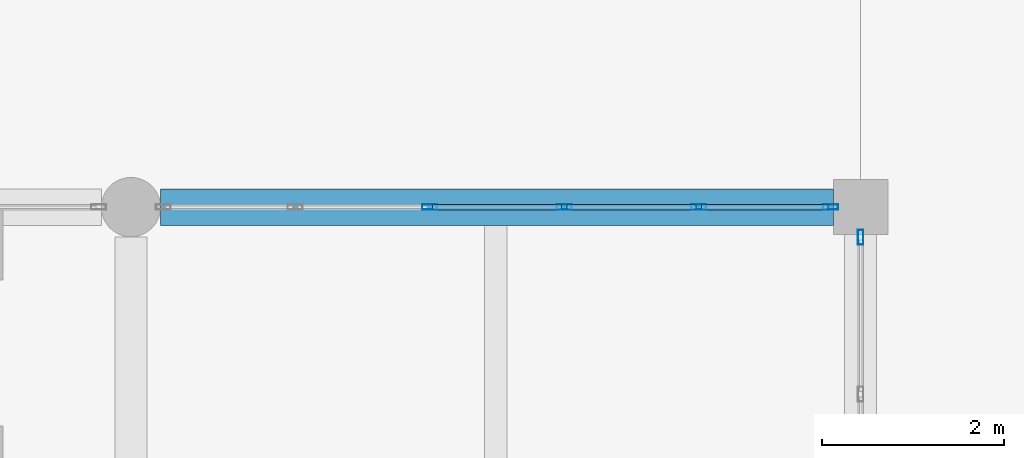
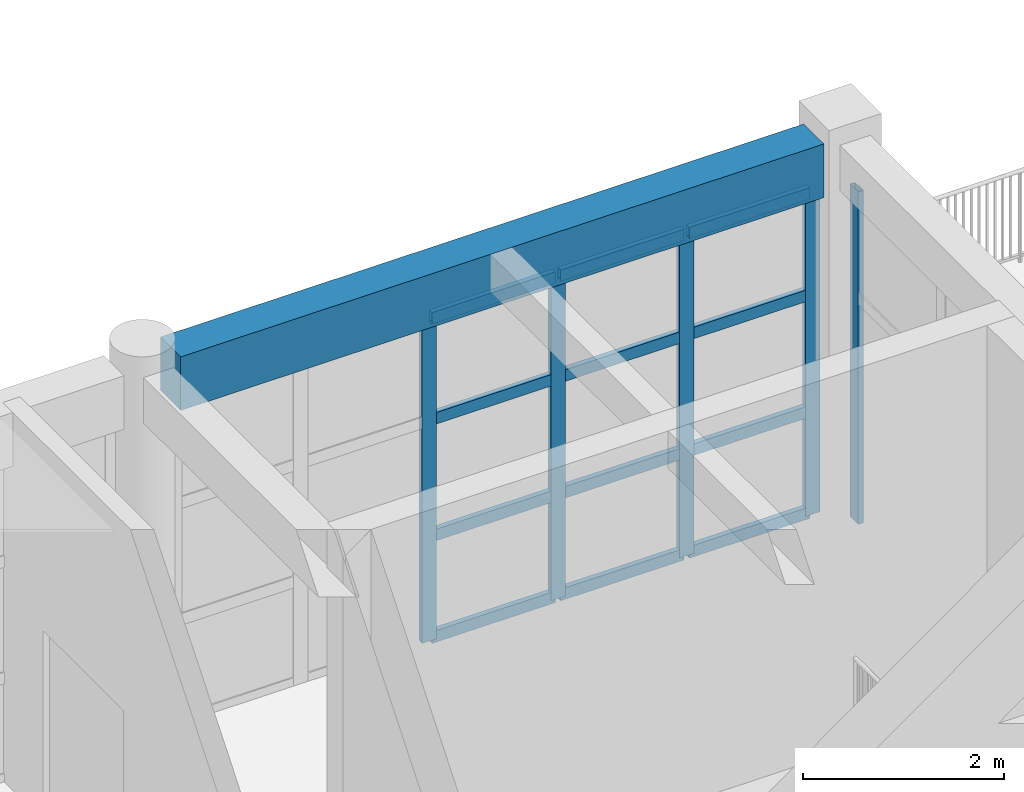
# One storey, part 21 of 32: 17 members, 1 beam, 2 elements without a shape of their own.
"""IFC4 building model written with IfcOpenShell, lengths in metres."""

from ifc_helpers import new_model, si_unit, direction, frame, origin, origin_2d, place, context, subcontext, project, spatial, rectangle, hollow_rectangle, extrude, material, material_profile, profile_set, type_object, element, aggregate, save


model = new_model("IFC4")

# Units and contexts
model_context = context("Model", 3, precision=1e-05, world=origin(), true_north=direction((0.0, 1.0)))
body_context = subcontext(model_context, "Body", "Model", "MODEL_VIEW")
ifc_project = project(units=[si_unit("LENGTHUNIT", "METRE"), si_unit("AREAUNIT", "SQUARE_METRE"), si_unit("VOLUMEUNIT", "CUBIC_METRE"), si_unit("PLANEANGLEUNIT", "RADIAN"), si_unit("MASSUNIT", "GRAM", prefix="KILO")], contexts=[model_context])

# Site, building, storey
site_placement = place(None, origin())
site = spatial("IfcSite", under=ifc_project, at=site_placement, CompositionType="ELEMENT")
building_placement = place(site_placement, origin())
building = spatial("IfcBuilding", under=site, at=building_placement, Name="Zantavel Square City Hall", CompositionType="ELEMENT")
storey_placement = place(building_placement, frame((0.0, 0.0, 23.699951171875)))
storey = spatial("IfcBuildingStorey", under=building, at=storey_placement, Name="L06", CompositionType="ELEMENT", Elevation=23.699951171875)

# Curtain wall, members
ifc_material_1 = material(Name="Anodised aluminium 6063-T6", Category="aluminium")
curtain_wall_type_1 = type_object("IfcCurtainWallType", Name="Curtain Wall TRV1 7375x3930", PredefinedType="USERDEFINED", material=ifc_material_1)
curtain_wall_1_placement = place(storey_placement, origin())
curtain_wall_1 = element("IfcCurtainWall", 1, at=curtain_wall_1_placement, inside=storey, type_object=curtain_wall_type_1, Name="L06 Glazed Curtain Wall CW-L06-149", ObjectType="GLAZED CURTAIN WALL", PredefinedType="USERDEFINED")
ifc_material_profile_1 = material_profile(ifc_material_1, hollow_rectangle(XDim=0.06005859375, YDim=0.1650390625, WallThickness=0.00390625, at=origin_2d()), Name="ALU 60x165x4")
ifc_profile_set_1 = profile_set([ifc_material_profile_1], Name="Anodised aluminium 6063-T6")
member_type_1 = type_object("IfcMemberType", Name="CW Council Gallery Mullion ALU 60x165x4", PredefinedType="MULLION", material=ifc_profile_set_1)
member_1_placement = place(storey_placement, frame((99.27490234375, 68.39990234375, 0.0), z_axis=(0.0, 0.0, 1.0), x_axis=(0.0, 1.0, 0.0)))
member_1 = element("IfcMember", 2, at=member_1_placement, type_object=member_type_1, Name="CW-149 mullion 3", PredefinedType="MULLION", context=body_context, shape_type="SweptSolid", body=[
    extrude(hollow_rectangle(XDim=0.06005859375, YDim=0.1650390625, WallThickness=0.00390625, at=origin_2d()), origin(), (0.0, 0.0, 1.0), 3.929931640625),
])
member_2_placement = place(storey_placement, frame((100.75, 68.39990234375, 0.0), z_axis=(0.0, 0.0, 1.0), x_axis=(0.0, 1.0, 0.0)))
member_2 = element("IfcMember", 3, at=member_2_placement, type_object=member_type_1, Name="CW-149 mullion 4", PredefinedType="MULLION", context=body_context, shape_type="SweptSolid", body=[
    extrude(hollow_rectangle(XDim=0.06005859375, YDim=0.1650390625, WallThickness=0.00390625, at=origin_2d()), origin(), (0.0, 0.0, 1.0), 3.929931640625),
])
member_3_placement = place(storey_placement, frame((102.22509765625, 68.39990234375, 0.0), z_axis=(0.0, 0.0, 1.0), x_axis=(0.0, 1.0, 0.0)))
member_3 = element("IfcMember", 4, at=member_3_placement, type_object=member_type_1, Name="CW-149 mullion 5", PredefinedType="MULLION", context=body_context, shape_type="SweptSolid", body=[
    extrude(hollow_rectangle(XDim=0.06005859375, YDim=0.1650390625, WallThickness=0.00390625, at=origin_2d()), origin(), (0.0, 0.0, 1.0), 3.929931640625),
])
member_4_placement = place(storey_placement, frame((103.669921875, 68.39990234375, 0.0), z_axis=(0.0, 0.0, 1.0), x_axis=(0.0, 1.0, 0.0)))
member_4 = element("IfcMember", 5, at=member_4_placement, type_object=member_type_1, Name="CW-149 mullion 6", PredefinedType="MULLION", context=body_context, shape_type="SweptSolid", body=[
    extrude(hollow_rectangle(XDim=0.06005859375, YDim=0.1650390625, WallThickness=0.00390625, at=origin_2d()), origin(), (0.0, 0.0, 1.0), 3.929931640625),
])

# Curtain wall, member
curtain_wall_type_2 = type_object("IfcCurtainWallType", Name="Curtain Wall TRV1 7000x4030", PredefinedType="USERDEFINED", material=ifc_material_1)
curtain_wall_2_placement = place(storey_placement, origin())
curtain_wall_2 = element("IfcCurtainWall", 6, at=curtain_wall_2_placement, inside=storey, type_object=curtain_wall_type_2, Name="L06 Glazed Curtain Wall CW-L06-150", ObjectType="GLAZED CURTAIN WALL", PredefinedType="USERDEFINED")
member_5_placement = place(storey_placement, frame((104.0, 68.070068359375, 0.0), z_axis=(0.0, 0.0, 1.0), x_axis=(1.0, 0.0, 0.0)))
member_5 = element("IfcMember", 7, at=member_5_placement, type_object=member_type_1, Name="CW-150 mullion 1", PredefinedType="MULLION", context=body_context, shape_type="SweptSolid", body=[
    extrude(hollow_rectangle(XDim=0.06005859375, YDim=0.1650390625, WallThickness=0.00390625, at=origin_2d()), origin(), (0.0, 0.0, 1.0), 4.030029296875),
])
aggregate(curtain_wall_2, [member_5])

# Member
ifc_material_profile_2 = material_profile(ifc_material_1, hollow_rectangle(XDim=0.06005859375, YDim=0.139892578125, WallThickness=0.00390625, at=origin_2d()), Name="ALU 60x140x4")
ifc_profile_set_2 = profile_set([ifc_material_profile_2], Name="Anodised aluminium 6063-T6")
member_type_2 = type_object("IfcMemberType", Name="CW Transom ALU 60x140x4", PredefinedType="USERDEFINED", material=ifc_profile_set_2)
member_6_placement = place(storey_placement, frame((99.304931640625, 68.39990234375, 0.030029296875), z_axis=(1.0, 0.0, 0.0), x_axis=(0.0, 1.0, 0.0)))
member_6 = element("IfcMember", 8, at=member_6_placement, type_object=member_type_2, Name="CW-149 transom 3.1", ObjectType="TRANSOM", PredefinedType="USERDEFINED", context=body_context, shape_type="SweptSolid", body=[
    extrude(hollow_rectangle(XDim=0.06005859375, YDim=0.139892578125, WallThickness=0.00390625, at=origin_2d()), origin(), (0.0, 0.0, 1.0), 1.4150390625),
])

member_7_placement = place(storey_placement, frame((99.304931640625, 68.39990234375, 1.258056640625), z_axis=(1.0, 0.0, 0.0), x_axis=(0.0, 1.0, 0.0)))
member_7 = element("IfcMember", 9, at=member_7_placement, type_object=member_type_2, Name="CW-149 transom 3.2", ObjectType="TRANSOM", PredefinedType="USERDEFINED", context=body_context, shape_type="SweptSolid", body=[
    extrude(hollow_rectangle(XDim=0.06005859375, YDim=0.139892578125, WallThickness=0.00390625, at=origin_2d()), origin(), (0.0, 0.0, 1.0), 1.4150390625),
])

member_8_placement = place(storey_placement, frame((99.304931640625, 68.39990234375, 2.672119140625), z_axis=(1.0, 0.0, 0.0), x_axis=(0.0, 1.0, 0.0)))
member_8 = element("IfcMember", 10, at=member_8_placement, type_object=member_type_2, Name="CW-149 transom 3.3", ObjectType="TRANSOM", PredefinedType="USERDEFINED", context=body_context, shape_type="SweptSolid", body=[
    extrude(hollow_rectangle(XDim=0.06005859375, YDim=0.139892578125, WallThickness=0.00390625, at=origin_2d()), origin(), (0.0, 0.0, 1.0), 1.4150390625),
])

member_9_placement = place(storey_placement, frame((99.304931640625, 68.39990234375, 3.900146484375), z_axis=(1.0, 0.0, 0.0), x_axis=(0.0, 1.0, 0.0)))
member_9 = element("IfcMember", 11, at=member_9_placement, type_object=member_type_2, Name="CW-149 transom 3.4", ObjectType="TRANSOM", PredefinedType="USERDEFINED", context=body_context, shape_type="SweptSolid", body=[
    extrude(hollow_rectangle(XDim=0.06005859375, YDim=0.139892578125, WallThickness=0.00390625, at=origin_2d()), origin(), (0.0, 0.0, 1.0), 1.4150390625),
])

member_10_placement = place(storey_placement, frame((100.780029296875, 68.39990234375, 0.030029296875), z_axis=(1.0, 0.0, 0.0), x_axis=(0.0, 1.0, 0.0)))
member_10 = element("IfcMember", 12, at=member_10_placement, type_object=member_type_2, Name="CW-149 transom 4.1", ObjectType="TRANSOM", PredefinedType="USERDEFINED", context=body_context, shape_type="SweptSolid", body=[
    extrude(hollow_rectangle(XDim=0.06005859375, YDim=0.139892578125, WallThickness=0.00390625, at=origin_2d()), origin(), (0.0, 0.0, 1.0), 1.4150390625),
])

member_11_placement = place(storey_placement, frame((100.780029296875, 68.39990234375, 1.258056640625), z_axis=(1.0, 0.0, 0.0), x_axis=(0.0, 1.0, 0.0)))
member_11 = element("IfcMember", 13, at=member_11_placement, type_object=member_type_2, Name="CW-149 transom 4.2", ObjectType="TRANSOM", PredefinedType="USERDEFINED", context=body_context, shape_type="SweptSolid", body=[
    extrude(hollow_rectangle(XDim=0.06005859375, YDim=0.139892578125, WallThickness=0.00390625, at=origin_2d()), origin(), (0.0, 0.0, 1.0), 1.4150390625),
])

member_12_placement = place(storey_placement, frame((100.780029296875, 68.39990234375, 2.672119140625), z_axis=(1.0, 0.0, 0.0), x_axis=(0.0, 1.0, 0.0)))
member_12 = element("IfcMember", 14, at=member_12_placement, type_object=member_type_2, Name="CW-149 transom 4.3", ObjectType="TRANSOM", PredefinedType="USERDEFINED", context=body_context, shape_type="SweptSolid", body=[
    extrude(hollow_rectangle(XDim=0.06005859375, YDim=0.139892578125, WallThickness=0.00390625, at=origin_2d()), origin(), (0.0, 0.0, 1.0), 1.4150390625),
])

member_13_placement = place(storey_placement, frame((100.780029296875, 68.39990234375, 3.900146484375), z_axis=(1.0, 0.0, 0.0), x_axis=(0.0, 1.0, 0.0)))
member_13 = element("IfcMember", 15, at=member_13_placement, type_object=member_type_2, Name="CW-149 transom 4.4", ObjectType="TRANSOM", PredefinedType="USERDEFINED", context=body_context, shape_type="SweptSolid", body=[
    extrude(hollow_rectangle(XDim=0.06005859375, YDim=0.139892578125, WallThickness=0.00390625, at=origin_2d()), origin(), (0.0, 0.0, 1.0), 1.4150390625),
])

member_14_placement = place(storey_placement, frame((102.2548828125, 68.39990234375, 0.030029296875), z_axis=(1.0, 0.0, 0.0), x_axis=(0.0, 1.0, 0.0)))
member_14 = element("IfcMember", 16, at=member_14_placement, type_object=member_type_2, Name="CW-149 transom 5.1", ObjectType="TRANSOM", PredefinedType="USERDEFINED", context=body_context, shape_type="SweptSolid", body=[
    extrude(hollow_rectangle(XDim=0.06005859375, YDim=0.139892578125, WallThickness=0.00390625, at=origin_2d()), origin(), (0.0, 0.0, 1.0), 1.385009765625),
])

member_15_placement = place(storey_placement, frame((102.2548828125, 68.39990234375, 1.258056640625), z_axis=(1.0, 0.0, 0.0), x_axis=(0.0, 1.0, 0.0)))
member_15 = element("IfcMember", 17, at=member_15_placement, type_object=member_type_2, Name="CW-149 transom 5.2", ObjectType="TRANSOM", PredefinedType="USERDEFINED", context=body_context, shape_type="SweptSolid", body=[
    extrude(hollow_rectangle(XDim=0.06005859375, YDim=0.139892578125, WallThickness=0.00390625, at=origin_2d()), origin(), (0.0, 0.0, 1.0), 1.385009765625),
])

member_16_placement = place(storey_placement, frame((102.2548828125, 68.39990234375, 2.672119140625), z_axis=(1.0, 0.0, 0.0), x_axis=(0.0, 1.0, 0.0)))
member_16 = element("IfcMember", 18, at=member_16_placement, type_object=member_type_2, Name="CW-149 transom 5.3", ObjectType="TRANSOM", PredefinedType="USERDEFINED", context=body_context, shape_type="SweptSolid", body=[
    extrude(hollow_rectangle(XDim=0.06005859375, YDim=0.139892578125, WallThickness=0.00390625, at=origin_2d()), origin(), (0.0, 0.0, 1.0), 1.385009765625),
])

member_17_placement = place(storey_placement, frame((102.2548828125, 68.39990234375, 3.900146484375), z_axis=(1.0, 0.0, 0.0), x_axis=(0.0, 1.0, 0.0)))
member_17 = element("IfcMember", 19, at=member_17_placement, type_object=member_type_2, Name="CW-149 transom 5.4", ObjectType="TRANSOM", PredefinedType="USERDEFINED", context=body_context, shape_type="SweptSolid", body=[
    extrude(hollow_rectangle(XDim=0.06005859375, YDim=0.139892578125, WallThickness=0.00390625, at=origin_2d()), origin(), (0.0, 0.0, 1.0), 1.385009765625),
])

aggregate(curtain_wall_1, [member_1, member_2, member_3, member_4, member_6, member_7, member_8, member_9, member_10, member_11, member_12, member_13, member_14, member_15, member_16, member_17])

# Beam
ifc_material_2 = material(Name="Concrete C35/45", Category="concrete")
ifc_material_profile_3 = material_profile(ifc_material_2, rectangle(XDim=0.39990234375, YDim=0.64990234375, at=origin_2d()), Name="RC 400x650")
ifc_profile_set_3 = profile_set([ifc_material_profile_3], Name="Concrete C35/45")
beam_type = type_object("IfcBeamType", Name="Frame Beam RC 400x650 C35/45", PredefinedType="BEAM", material=ifc_profile_set_3)
beam_placement = place(storey_placement, frame((96.324951171875, 68.39990234375, 4.255126953125), z_axis=(1.0, 0.0, 0.0), x_axis=(0.0, 1.0, 0.0)))
element("IfcBeam", 20, at=beam_placement, inside=storey, type_object=beam_type, Name="L06 Girder BMX-L06-0960-0684", PredefinedType="BEAM", context=body_context, shape_type="SweptSolid", body=[
    extrude(rectangle(XDim=0.39990234375, YDim=0.64990234375, at=origin_2d()), origin(), (0.0, 0.0, 1.0), 7.375),
])

save(model, "model.ifc")
